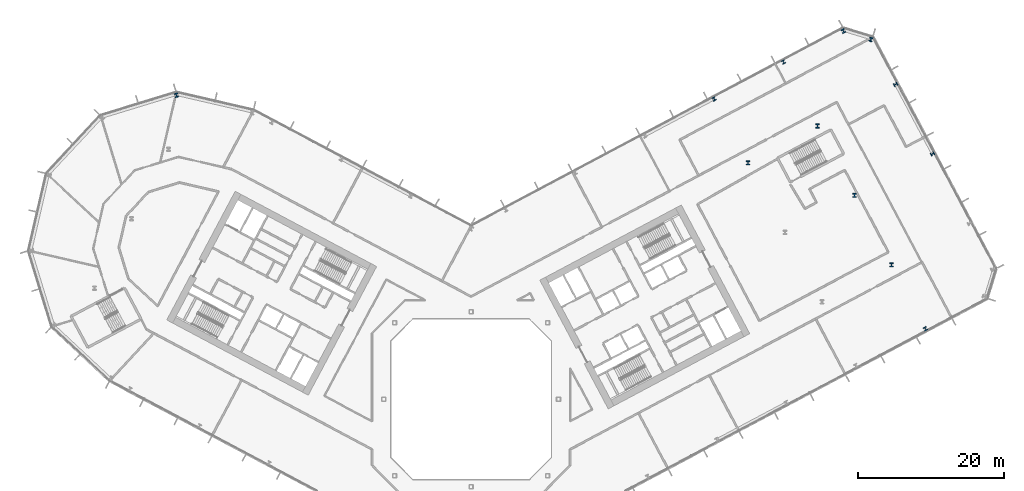
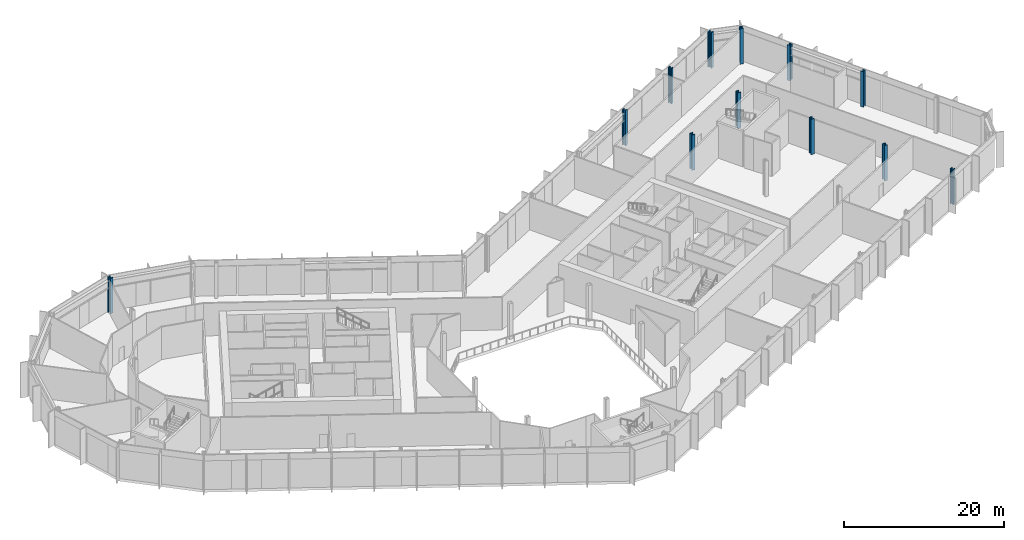
# One storey, part 4 of 30: 12 columns.
"""IFC4 building model written with IfcOpenShell, lengths in metres."""

from ifc_helpers import new_model, si_unit, direction, frame, origin, origin_2d, place, context, subcontext, project, spatial, i_section, extrude, material, material_profile, profile_set, type_object, element, save


model = new_model("IFC4")

# Units and contexts
model_context = context("Model", 3, precision=1e-05, world=origin(), true_north=direction((0.0, 1.0)))
body_context = subcontext(model_context, "Body", "Model", "MODEL_VIEW")
ifc_project = project(units=[si_unit("LENGTHUNIT", "METRE"), si_unit("AREAUNIT", "SQUARE_METRE"), si_unit("VOLUMEUNIT", "CUBIC_METRE"), si_unit("PLANEANGLEUNIT", "RADIAN"), si_unit("MASSUNIT", "GRAM", prefix="KILO")], contexts=[model_context])

# Site, building, storey
site_placement = place(None, origin())
site = spatial("IfcSite", under=ifc_project, at=site_placement, CompositionType="ELEMENT")
building_placement = place(site_placement, origin())
building = spatial("IfcBuilding", under=site, at=building_placement, Name="Cormorant Relay Tower", CompositionType="ELEMENT")
storey_placement = place(building_placement, frame((0.0, 0.0, 55.39990234375)))
storey = spatial("IfcBuildingStorey", under=building, at=storey_placement, Name="L10", CompositionType="ELEMENT", Elevation=55.39990234375)

# Columns
ifc_material_1 = material(Name="Steel ASTM A992 (Fy 345 MPa)", Category="steel")
ifc_material_profile_1 = material_profile(ifc_material_1, i_section(OverallWidth=0.45458984375, OverallDepth=0.569091796875, WebThickness=0.077880859375, FlangeThickness=0.124755859375, FilletRadius=0.015380859375, at=origin_2d()), Name="W360x1086")
ifc_profile_set_1 = profile_set([ifc_material_profile_1], Name="Steel ASTM A992 (Fy 345 MPa)")
column_type_1 = type_object("IfcColumnType", Name="Column W360x1086", PredefinedType="COLUMN", material=ifc_profile_set_1)
for number, where, z_axis, x_axis, name in (
    (1, (57.694091796875, 18.445068359375, 0.0), (0.0, 0.0, 1.0), (1.0, 0.0, 0.0), "Column L10-029"),
    (2, (52.6240234375, 27.98095703125, 0.0), (0.0, 0.0, 1.0), (1.0, 0.0, 0.0), "Column L10-037"),
    (3, (38.01806640625, 32.446044921875, 0.0), (0.0, 0.0, 1.0), (1.0, 0.0, 0.0), "Column L10-040"),
    (4, (47.552978515625, 37.51611328125, 0.0), (0.0, 0.0, 1.0), (1.0, 0.0, 0.0), "Column L10-045"),
    (5, (-40.451904296875, 41.73388671875, 0.0), (0.0, 0.0, 1.0), (-0.956304755963, -0.292371704723, 0.0), "Column L10-050"),
    (6, (54.866943359375, 49.385986328125, 0.0), (0.0, 0.0, 1.0), (-0.956304755963, 0.292371704723, 0.0), "Column L10-053"),
    (7, (51.10302734375, 50.537109375, 0.0), (0.0, 0.0, 1.0), (-0.882947592859, -0.469471562786, 0.0), "Column L10-054"),
):
    element("IfcColumn", number, at=place(storey_placement, frame(where, z_axis=z_axis, x_axis=x_axis)), inside=storey, type_object=column_type_1, Name=name, PredefinedType="COLUMN", context=body_context, shape_type="SweptSolid", body=[
        extrude(i_section(OverallWidth=0.45458984375, OverallDepth=0.569091796875, WebThickness=0.077880859375, FlangeThickness=0.124755859375, FilletRadius=0.015380859375, at=origin_2d()), origin(), (0.0, 0.0, 1.0), 5.400146484375),
    ])
ifc_material_2 = material(Name="Steel ASTM A992 (Fy 345 MPa)", Category="steel")
ifc_material_profile_2 = material_profile(ifc_material_2, i_section(OverallWidth=0.43701171875, OverallDepth=0.51318359375, WebThickness=0.060546875, FlangeThickness=0.096923828125, FilletRadius=0.015380859375, at=origin_2d()), Name="W360x818")
ifc_profile_set_2 = profile_set([ifc_material_profile_2], Name="Steel ASTM A992 (Fy 345 MPa)")
column_type_2 = type_object("IfcColumnType", Name="Column W360x818", PredefinedType="COLUMN", material=ifc_profile_set_2)
for number, where, z_axis, x_axis, name in (
    (8, (62.361083984375, 9.66796875, 0.0), (0.0, 0.0, 1.0), (0.882947592859, 0.469471562786, 0.0), "Column L10-020"),
    (9, (63.343017578125, 33.679931640625, 0.0), (0.0, 0.0, 1.0), (-0.469471562786, 0.882947592859, 0.0), "Column L10-042"),
    (10, (33.35107421875, 41.222900390625, 0.0), (0.0, 0.0, 1.0), (-0.882947592859, -0.469471562786, 0.0), "Column L10-049"),
    (11, (58.27197265625, 43.216064453125, 0.0), (0.0, 0.0, 1.0), (-0.469471562786, 0.882947592859, 0.0), "Column L10-051"),
    (12, (42.886962890625, 46.29296875, 0.0), (0.0, 0.0, 1.0), (-0.882947592859, -0.469471562786, 0.0), "Column L10-052"),
):
    element("IfcColumn", number, at=place(storey_placement, frame(where, z_axis=z_axis, x_axis=x_axis)), inside=storey, type_object=column_type_2, Name=name, PredefinedType="COLUMN", context=body_context, shape_type="SweptSolid", body=[
        extrude(i_section(OverallWidth=0.43701171875, OverallDepth=0.51318359375, WebThickness=0.060546875, FlangeThickness=0.096923828125, FilletRadius=0.015380859375, at=origin_2d()), origin(), (0.0, 0.0, 1.0), 5.400146484375),
    ])

save(model, "model.ifc")
